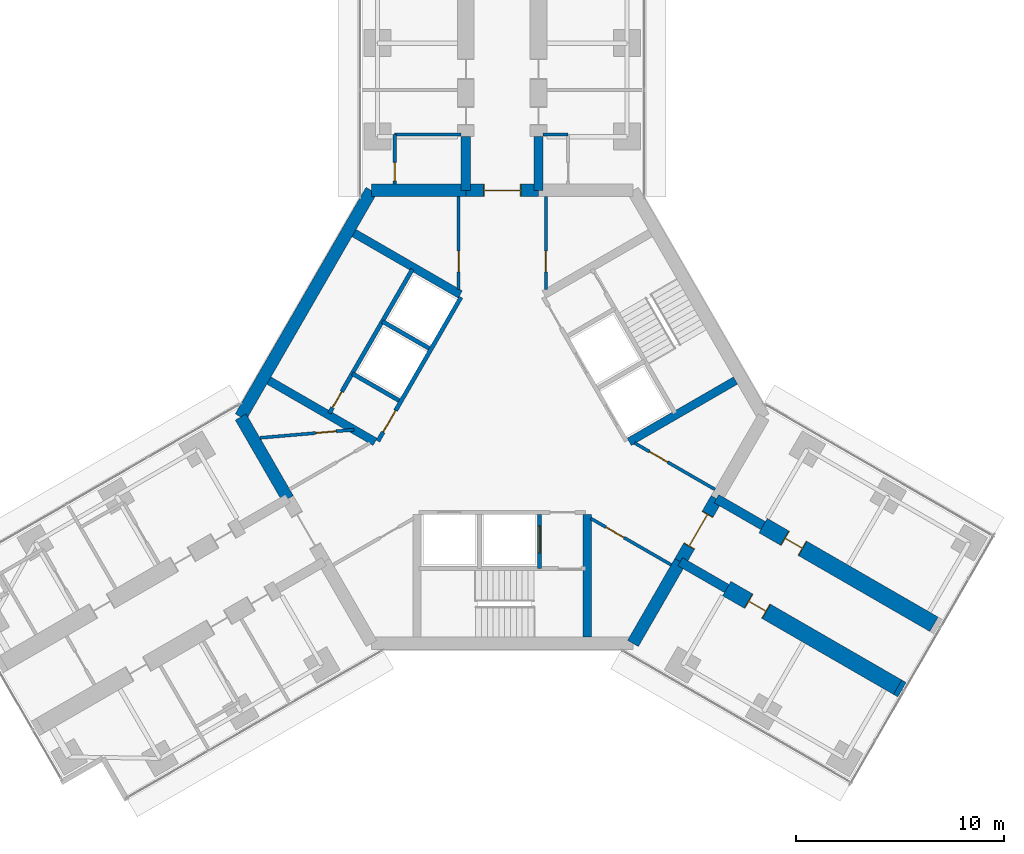
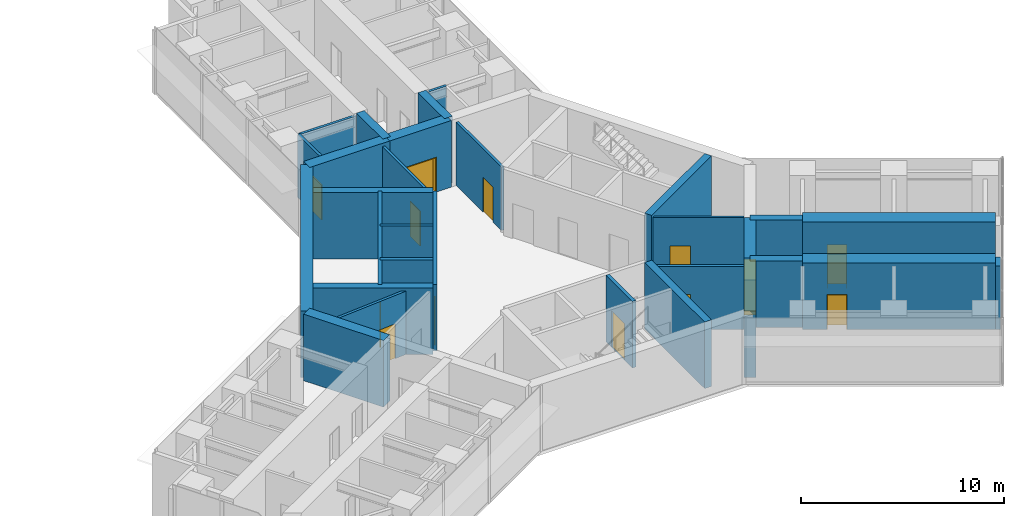
# One storey, part 19 of 22: 30 walls, 13 doors, 13 openings.
"""IFC4 building model written with IfcOpenShell, lengths in metres."""

from ifc_helpers import new_model, si_unit, direction, frame, frame_2d, origin, place, context, subcontext, project, spatial, rectangle, extrude, material, layer, layer_set, type_object, element, fill, save


model = new_model("IFC4")

# Units and contexts
model_context = context("Model", 3, precision=1e-05, world=origin(), true_north=direction((0.0, 1.0)))
body_context = subcontext(model_context, "Body", "Model", "MODEL_VIEW")
ifc_project = project(units=[si_unit("LENGTHUNIT", "METRE"), si_unit("AREAUNIT", "SQUARE_METRE"), si_unit("VOLUMEUNIT", "CUBIC_METRE"), si_unit("PLANEANGLEUNIT", "RADIAN"), si_unit("MASSUNIT", "GRAM", prefix="KILO")], contexts=[model_context])

# Site, building, storey
site_placement = place(None, origin())
site = spatial("IfcSite", under=ifc_project, at=site_placement, CompositionType="ELEMENT")
building_placement = place(site_placement, origin())
building = spatial("IfcBuilding", under=site, at=building_placement, Name="Upepo Twin Towers", CompositionType="ELEMENT")
storey_placement = place(building_placement, frame((0.0, 0.0, 137.5)))
storey = spatial("IfcBuildingStorey", under=building, at=storey_placement, Name="L33", CompositionType="ELEMENT", Elevation=137.5)

# Walls
ifc_material_1 = material(Name="Dense concrete blockwork", Category="masonry")
ifc_layer_1 = layer(ifc_material_1, 0.800048828125)
ifc_layer_set_1 = layer_set([ifc_layer_1], Name="Buttress closer 800, blockwork with fire-stopping to the curtain wall")
wall_type_1 = type_object("IfcWallType", Name="Buttress closer 800, blockwork with fire-stopping to the curtain wall", PredefinedType="PARTITIONING", material=ifc_layer_set_1)
wall_1_placement = place(storey_placement, frame((77.543701171875, -31.015625, 0.0), z_axis=(0.0, 0.0, 1.0), x_axis=(0.865827443207, -0.500342721131, 0.0)))
element("IfcWall", 1, at=wall_1_placement, inside=storey, type_object=wall_type_1, Name="T2 L33 wing C buttress closer R", PredefinedType="PARTITIONING", context=body_context, shape_type="SweptSolid", body=[
    extrude(rectangle(XDim=0.249755859375, YDim=0.800048828125, at=frame_2d((0.125, 0.0))), origin(), (0.0, 0.0, 1.0), 3.800048828125),
])
ifc_material_2 = material(Name="Concrete C60/75", Category="concrete")
ifc_layer_2 = layer(ifc_material_2, 0.449951171875)
ifc_layer_set_2 = layer_set([ifc_layer_2], Name="Concrete C60/75")
wall_type_2 = type_object("IfcWallType", Name="Buttress wall 450 RC", PredefinedType="SHEAR", material=ifc_layer_set_2)
for number, where, z_axis, x_axis, name in (
    (2, (56.75, -7.091552734375, 0.0), (0.0, 0.0, 1.0), (0.0, 1.0, 0.0), "T2 wing A buttress wall L"),
    (3, (60.25, -7.091552734375, 0.0), (0.0, 0.0, 1.0), (0.0, 1.0, 0.0), "T2 wing A buttress wall R"),
):
    element("IfcWall", number, at=place(storey_placement, frame(where, z_axis=z_axis, x_axis=x_axis)), inside=storey, type_object=wall_type_2, Name=name, PredefinedType="SHEAR", context=body_context, shape_type="SweptSolid", body=[
        extrude(rectangle(XDim=2.591552734375, YDim=0.449951171875, at=frame_2d((1.2958984375, 0.0))), origin(), (0.0, 0.0, 1.0), 4.0),
    ])
for number, where, z_axis, x_axis, name in (
    (4, (68.82177734375, -21.938720703125, 0.0), (0.0, 0.0, 1.0), (0.866072649678, -0.499918158782, 0.0), "T2 wing C buttress wall L"),
    (5, (67.07177734375, -24.9697265625, 0.0), (0.0, 0.0, 1.0), (0.866031863473, -0.499988811324, 0.0), "T2 wing C buttress wall R"),
):
    element("IfcWall", number, at=place(storey_placement, frame(where, z_axis=z_axis, x_axis=x_axis)), inside=storey, type_object=wall_type_2, Name=name, PredefinedType="SHEAR", context=body_context, shape_type="SweptSolid", body=[
        extrude(rectangle(XDim=2.591796875, YDim=0.449951171875, at=frame_2d((1.2958984375, 0.0))), origin(), (0.0, 0.0, 1.0), 4.0),
    ])

# Wall, opening, door
ifc_material_3 = material(Name="Concrete C60/75", Category="concrete")
ifc_layer_3 = layer(ifc_material_3, 0.800048828125)
ifc_layer_set_3 = layer_set([ifc_layer_3], Name="Concrete C60/75")
wall_type_3 = type_object("IfcWallType", Name="Buttress wall 800 RC", PredefinedType="SHEAR", material=ifc_layer_set_3)
wall_2_placement = place(storey_placement, frame((71.06640625, -23.234375, 0.0), z_axis=(0.0, 0.0, 1.0), x_axis=(0.86602681393, -0.499997557548, 0.0)))
wall_2 = element("IfcWall", 6, at=wall_2_placement, inside=storey, type_object=wall_type_3, Name="T2 wing C buttress wall L part 2", PredefinedType="SHEAR", context=body_context, shape_type="SweptSolid", body=[
    extrude(rectangle(XDim=9.5, YDim=0.800048828125, at=frame_2d((4.75, 0.0))), origin(), (0.0, 0.0, 1.0), 4.0),
])
opening_1_placement = place(wall_2_placement, frame((1.199951171875, 0.0, 0.0)))
opening_1 = element("IfcOpeningElement", 7, at=opening_1_placement, cuts=wall_2, Name="Opening D1", PredefinedType="OPENING", context=body_context, shape_type="SweptSolid", body=[
    extrude(rectangle(XDim=1.0, YDim=2.10009765625, at=frame_2d((0.5, 1.050048828125))), frame((0.0, 0.409912109375, 0.0), z_axis=(0.0, -1.0, 0.0), x_axis=(1.0, 0.0, 0.0)), (0.0, 0.0, 1.0), 0.820068359375),
])
ifc_material_4 = material(Name="Timber doorset", Category="wood")
door_type_1 = type_object("IfcDoorType", Name="Room door 1000 FD30", OperationType="SINGLE_SWING_LEFT", PredefinedType="DOOR", material=ifc_material_4)
door_1_placement = place(opening_1_placement, origin())
door_1 = element("IfcDoor", 8, at=door_1_placement, inside=storey, type_object=door_type_1, Name="T2 L33 staff office door", OperationType="SINGLE_SWING_LEFT", OverallHeight=2.10009765625, OverallWidth=1.0, PredefinedType="DOOR", context=body_context, shape_type="SweptSolid", body=[
    extrude(rectangle(XDim=0.92, YDim=2.06009765625, at=frame_2d((0.5, 1.030029296875))), frame((0.0, 0.02490234375, 0.0), z_axis=(0.0, -1.0, 0.0), x_axis=(1.0, 0.0, 0.0)), (0.0, 0.0, 1.0), 0.050048828125),
    extrude(rectangle(XDim=0.04, YDim=2.10009765625, at=frame_2d((0.02001953125, 1.050048828125))), frame((0.0, 0.39990234375, 0.0), z_axis=(0.0, -1.0, 0.0), x_axis=(1.0, 0.0, 0.0)), (0.0, 0.0, 1.0), 0.799560546875),
    extrude(rectangle(XDim=0.04, YDim=2.10009765625, at=frame_2d((0.97998046875, 1.050048828125))), frame((0.0, 0.39990234375, 0.0), z_axis=(0.0, -1.0, 0.0), x_axis=(1.0, 0.0, 0.0)), (0.0, 0.0, 1.0), 0.799560546875),
    extrude(rectangle(XDim=0.92, YDim=0.04, at=frame_2d((0.5, 2.080078125))), frame((0.0, 0.39990234375, 0.0), z_axis=(0.0, -1.0, 0.0), x_axis=(1.0, 0.0, 0.0)), (0.0, 0.0, 1.0), 0.799560546875),
])
fill(opening_1, door_1)

wall_3_placement = place(storey_placement, frame((69.31640625, -26.265625, 0.0), z_axis=(0.0, 0.0, 1.0), x_axis=(0.86602681393, -0.499997557548, 0.0)))
wall_3 = element("IfcWall", 9, at=wall_3_placement, inside=storey, type_object=wall_type_3, Name="T2 wing C buttress wall R part 2", PredefinedType="SHEAR", context=body_context, shape_type="SweptSolid", body=[
    extrude(rectangle(XDim=9.5, YDim=0.800048828125, at=frame_2d((4.75, 0.0))), origin(), (0.0, 0.0, 1.0), 4.0),
])
opening_2_placement = place(wall_3_placement, frame((1.199951171875, 0.0, 0.0)))
opening_2 = element("IfcOpeningElement", 10, at=opening_2_placement, cuts=wall_3, Name="Opening D1", PredefinedType="OPENING", context=body_context, shape_type="SweptSolid", body=[
    extrude(rectangle(XDim=1.0, YDim=2.10009765625, at=frame_2d((0.5, 1.050048828125))), frame((0.0, 0.409912109375, 0.0), z_axis=(0.0, -1.0, 0.0), x_axis=(1.0, 0.0, 0.0)), (0.0, 0.0, 1.0), 0.820068359375),
])
door_2_placement = place(opening_2_placement, origin())
door_2 = element("IfcDoor", 11, at=door_2_placement, inside=storey, type_object=door_type_1, Name="T2 L33 staff office door", OperationType="SINGLE_SWING_LEFT", OverallHeight=2.10009765625, OverallWidth=1.0, PredefinedType="DOOR", context=body_context, shape_type="SweptSolid", body=[
    extrude(rectangle(XDim=0.92, YDim=2.06009765625, at=frame_2d((0.5, 1.030029296875))), frame((0.0, 0.02490234375, 0.0), z_axis=(0.0, -1.0, 0.0), x_axis=(1.0, 0.0, 0.0)), (0.0, 0.0, 1.0), 0.050048828125),
    extrude(rectangle(XDim=0.04, YDim=2.10009765625, at=frame_2d((0.02001953125, 1.050048828125))), frame((0.0, 0.39990234375, 0.0), z_axis=(0.0, -1.0, 0.0), x_axis=(1.0, 0.0, 0.0)), (0.0, 0.0, 1.0), 0.799560546875),
    extrude(rectangle(XDim=0.04, YDim=2.10009765625, at=frame_2d((0.97998046875, 1.050048828125))), frame((0.0, 0.39990234375, 0.0), z_axis=(0.0, -1.0, 0.0), x_axis=(1.0, 0.0, 0.0)), (0.0, 0.0, 1.0), 0.799560546875),
    extrude(rectangle(XDim=0.92, YDim=0.04, at=frame_2d((0.5, 2.080078125))), frame((0.0, 0.39990234375, 0.0), z_axis=(0.0, -1.0, 0.0), x_axis=(1.0, 0.0, 0.0)), (0.0, 0.0, 1.0), 0.799560546875),
])
fill(opening_2, door_2)

ifc_material_5 = material(Name="Concrete C60/75", Category="concrete")
ifc_layer_4 = layer(ifc_material_5, 0.60009765625)
ifc_layer_set_4 = layer_set([ifc_layer_4], Name="Concrete C60/75")
wall_type_4 = type_object("IfcWallType", Name="Core wall 600 RC", PredefinedType="SHEAR", material=ifc_layer_set_4)
wall_4_placement = place(storey_placement, frame((60.25, -7.091552734375, 0.0), z_axis=(0.0, 0.0, 1.0), x_axis=(-1.0, 0.0, 0.0)))
wall_4 = element("IfcWall", 12, at=wall_4_placement, inside=storey, type_object=wall_type_4, Name="T2 core wall 000", PredefinedType="SHEAR", context=body_context, shape_type="SweptSolid", body=[
    extrude(rectangle(XDim=3.5, YDim=0.60009765625, at=frame_2d((1.75, 0.0))), origin(), (0.0, 0.0, 1.0), 4.0),
])
opening_3_placement = place(wall_4_placement, frame((0.85009765625, 0.0, 0.0)))
opening_3 = element("IfcOpeningElement", 13, at=opening_3_placement, cuts=wall_4, Name="Opening D2", PredefinedType="OPENING", context=body_context, shape_type="SweptSolid", body=[
    extrude(rectangle(XDim=1.800048828125, YDim=2.10009765625, at=frame_2d((0.89990234375, 1.050048828125))), frame((0.0, 0.31005859375, 0.0), z_axis=(0.0, -1.0, 0.0), x_axis=(1.0, 0.0, 0.0)), (0.0, 0.0, 1.0), 0.6201171875),
])
ifc_material_6 = material(Name="Timber doorset", Category="wood")
door_type_2 = type_object("IfcDoorType", Name="Corridor double door 1800 FD60", OperationType="DOUBLE_DOOR_DOUBLE_SWING", PredefinedType="DOOR", material=ifc_material_6)
door_3_placement = place(opening_3_placement, origin())
door_3 = element("IfcDoor", 14, at=door_3_placement, inside=storey, type_object=door_type_2, Name="T2 L33 wing A corridor door", OperationType="DOUBLE_DOOR_DOUBLE_SWING", OverallHeight=2.10009765625, OverallWidth=1.800048828125, PredefinedType="DOOR", context=body_context, shape_type="SweptSolid", body=[
    extrude(rectangle(XDim=1.720048828125, YDim=2.06009765625, at=frame_2d((0.89990234375, 1.030029296875))), frame((0.0, 0.02490234375, 0.0), z_axis=(0.0, -1.0, 0.0), x_axis=(1.0, 0.0, 0.0)), (0.0, 0.0, 1.0), 0.050048828125),
    extrude(rectangle(XDim=0.04, YDim=2.10009765625, at=frame_2d((0.02001953125, 1.050048828125))), frame((0.0, 0.2998046875, 0.0), z_axis=(0.0, -1.0, 0.0), x_axis=(1.0, 0.0, 0.0)), (0.0, 0.0, 1.0), 0.599609375),
    extrude(rectangle(XDim=0.04, YDim=2.10009765625, at=frame_2d((1.780029296875, 1.050048828125))), frame((0.0, 0.2998046875, 0.0), z_axis=(0.0, -1.0, 0.0), x_axis=(1.0, 0.0, 0.0)), (0.0, 0.0, 1.0), 0.599609375),
    extrude(rectangle(XDim=1.720048828125, YDim=0.04, at=frame_2d((0.89990234375, 2.080078125))), frame((0.0, 0.2998046875, 0.0), z_axis=(0.0, -1.0, 0.0), x_axis=(1.0, 0.0, 0.0)), (0.0, 0.0, 1.0), 0.599609375),
])
fill(opening_3, door_3)

# Walls
wall_5_placement = place(storey_placement, frame((56.75, -7.091552734375, 0.0), z_axis=(0.0, 0.0, 1.0), x_axis=(-1.0, 0.0, 0.0)))
element("IfcWall", 15, at=wall_5_placement, inside=storey, type_object=wall_type_4, Name="T2 core wall 000 L", PredefinedType="SHEAR", context=body_context, shape_type="SweptSolid", body=[
    extrude(rectangle(XDim=4.5478515625, YDim=0.60009765625, at=frame_2d((2.27392578125, 0.0))), origin(), (0.0, 0.0, 1.0), 4.0),
])
wall_6_placement = place(storey_placement, frame((52.2021484375, -7.091552734375, 0.0), z_axis=(0.0, 0.0, 1.0), x_axis=(-0.500005998175, -0.866021940709, 0.0)))
element("IfcWall", 16, at=wall_6_placement, inside=storey, type_object=wall_type_4, Name="T2 core wall 060", PredefinedType="SHEAR", context=body_context, shape_type="SweptSolid", body=[
    extrude(rectangle(XDim=12.595947265625, YDim=0.60009765625, at=frame_2d((6.2978515625, 0.0))), origin(), (0.0, 0.0, 1.0), 4.0),
])
for number, where, z_axis, x_axis, name in (
    (17, (45.904052734375, -18.0, 0.0), (0.0, 0.0, 1.0), (0.500024481964, -0.866011268655, 0.0), "T2 core wall 120 R"),
    (18, (64.7978515625, -28.908447265625, 0.0), (0.0, 0.0, 1.0), (0.499984222037, 0.866034513004, 0.0), "T2 core wall 240 R"),
):
    element("IfcWall", number, at=place(storey_placement, frame(where, z_axis=z_axis, x_axis=x_axis)), inside=storey, type_object=wall_type_4, Name=name, PredefinedType="SHEAR", context=body_context, shape_type="SweptSolid", body=[
        extrude(rectangle(XDim=4.548095703125, YDim=0.60009765625, at=frame_2d((2.27392578125, 0.0))), origin(), (0.0, 0.0, 1.0), 4.0),
    ])

# Wall, opening, door
wall_7_placement = place(storey_placement, frame((67.07177734375, -24.9697265625, 0.0), z_axis=(0.0, 0.0, 1.0), x_axis=(0.500010275428, 0.866019471182, 0.0)))
wall_7 = element("IfcWall", 19, at=wall_7_placement, inside=storey, type_object=wall_type_4, Name="T2 core wall 240", PredefinedType="SHEAR", context=body_context, shape_type="SweptSolid", body=[
    extrude(rectangle(XDim=3.5, YDim=0.60009765625, at=frame_2d((1.75, 0.0))), origin(), (0.0, 0.0, 1.0), 4.0),
])
opening_4_placement = place(wall_7_placement, frame((0.85009765625, 0.0, 0.0)))
opening_4 = element("IfcOpeningElement", 20, at=opening_4_placement, cuts=wall_7, Name="Opening D2", PredefinedType="OPENING", context=body_context, shape_type="SweptSolid", body=[
    extrude(rectangle(XDim=1.800048828125, YDim=2.10009765625, at=frame_2d((0.89990234375, 1.050048828125))), frame((0.0, 0.31005859375, 0.0), z_axis=(0.0, -1.0, 0.0), x_axis=(1.0, 0.0, 0.0)), (0.0, 0.0, 1.0), 0.6201171875),
])
door_4_placement = place(opening_4_placement, origin())
door_4 = element("IfcDoor", 21, at=door_4_placement, inside=storey, type_object=door_type_2, Name="T2 L33 wing C corridor door", OperationType="DOUBLE_DOOR_DOUBLE_SWING", OverallHeight=2.10009765625, OverallWidth=1.800048828125, PredefinedType="DOOR", context=body_context, shape_type="SweptSolid", body=[
    extrude(rectangle(XDim=1.720048828125, YDim=2.06009765625, at=frame_2d((0.89990234375, 1.030029296875))), frame((0.0, 0.02490234375, 0.0), z_axis=(0.0, -1.0, 0.0), x_axis=(1.0, 0.0, 0.0)), (0.0, 0.0, 1.0), 0.050048828125),
    extrude(rectangle(XDim=0.04, YDim=2.10009765625, at=frame_2d((0.02001953125, 1.050048828125))), frame((0.0, 0.2998046875, 0.0), z_axis=(0.0, -1.0, 0.0), x_axis=(1.0, 0.0, 0.0)), (0.0, 0.0, 1.0), 0.599609375),
    extrude(rectangle(XDim=0.04, YDim=2.10009765625, at=frame_2d((1.780029296875, 1.050048828125))), frame((0.0, 0.2998046875, 0.0), z_axis=(0.0, -1.0, 0.0), x_axis=(1.0, 0.0, 0.0)), (0.0, 0.0, 1.0), 0.599609375),
    extrude(rectangle(XDim=1.720048828125, YDim=0.04, at=frame_2d((0.89990234375, 2.080078125))), frame((0.0, 0.2998046875, 0.0), z_axis=(0.0, -1.0, 0.0), x_axis=(1.0, 0.0, 0.0)), (0.0, 0.0, 1.0), 0.599609375),
])
fill(opening_4, door_4)

ifc_material_7 = material(Name="Concrete C40/50", Category="concrete")
ifc_layer_5 = layer(ifc_material_7, 0.199951171875)
ifc_layer_set_5 = layer_set([ifc_layer_5], Name="Concrete C40/50")
wall_type_5 = type_object("IfcWallType", Name="Shaft wall 200 RC", PredefinedType="SHEAR", material=ifc_layer_set_5)
wall_8_placement = place(storey_placement, frame((56.516357421875, -12.23583984375, 0.0), z_axis=(0.0, 0.0, 1.0), x_axis=(-0.49999894854, -0.866026010844, 0.0)))
wall_8 = element("IfcWall", 22, at=wall_8_placement, inside=storey, type_object=wall_type_5, Name="T2 core W60 front wall", PredefinedType="SHEAR", context=body_context, shape_type="SweptSolid", body=[
    extrude(rectangle(XDim=8.0, YDim=0.199951171875, at=frame_2d((4.0, 0.0))), origin(), (0.0, 0.0, 1.0), 4.0),
])
opening_5_placement = place(wall_8_placement, frame((6.300048828125, 0.0, 0.0)))
opening_5 = element("IfcOpeningElement", 23, at=opening_5_placement, cuts=wall_8, Name="Opening D4", PredefinedType="OPENING", context=body_context, shape_type="SweptSolid", body=[
    extrude(rectangle(XDim=1.199951171875, YDim=2.10009765625, at=frame_2d((0.60009765625, 1.050048828125))), frame((0.0, 0.10986328125, 0.0), z_axis=(0.0, -1.0, 0.0), x_axis=(1.0, 0.0, 0.0)), (0.0, 0.0, 1.0), 0.219970703125),
])
ifc_material_8 = material(Name="Timber doorset", Category="wood")
door_type_3 = type_object("IfcDoorType", Name="Lobby door 1200 FD60", OperationType="SINGLE_SWING_LEFT", PredefinedType="DOOR", material=ifc_material_8)
door_5_placement = place(opening_5_placement, origin())
door_5 = element("IfcDoor", 24, at=door_5_placement, inside=storey, type_object=door_type_3, Name="T2 L33 W60 lobby door", OperationType="SINGLE_SWING_RIGHT", OverallHeight=2.10009765625, OverallWidth=1.199951171875, PredefinedType="DOOR", context=body_context, shape_type="SweptSolid", body=[
    extrude(rectangle(XDim=1.199951171875, YDim=2.10009765625, at=frame_2d((0.60009765625, 1.050048828125))), frame((0.0, 0.02490234375, 0.0), z_axis=(0.0, -1.0, 0.0), x_axis=(1.0, 0.0, 0.0)), (0.0, 0.0, 1.0), 0.050048828125),
])
fill(opening_5, door_5)

# Walls
for number, where, z_axis, x_axis, name in (
    (25, (54.979736328125, -14.697265625, 0.0), (0.0, 0.0, 1.0), (-0.866062058628, 0.499936506574, 0.0), "T2 core W60 shaft divider"),
    (26, (53.52978515625, -17.208740234375, 0.0), (0.0, 0.0, 1.0), (-0.866062058628, 0.499936506574, 0.0), "T2 core W60 lobby wall"),
):
    element("IfcWall", number, at=place(storey_placement, frame(where, z_axis=z_axis, x_axis=x_axis)), inside=storey, type_object=wall_type_5, Name=name, PredefinedType="SHEAR", context=body_context, shape_type="SweptSolid", body=[
        extrude(rectangle(XDim=2.599853515625, YDim=0.199951171875, at=frame_2d((1.2998046875, 0.0))), origin(), (0.0, 0.0, 1.0), 4.0),
    ])

# Wall, opening, door
wall_9_placement = place(storey_placement, frame((54.177978515625, -10.885986328125, 0.0), z_axis=(0.0, 0.0, 1.0), x_axis=(-0.49999894854, -0.866026010844, 0.0)))
wall_9 = element("IfcWall", 27, at=wall_9_placement, inside=storey, type_object=wall_type_5, Name="T2 core W60 stair wall", PredefinedType="SHEAR", context=body_context, shape_type="SweptSolid", body=[
    extrude(rectangle(XDim=8.0, YDim=0.199951171875, at=frame_2d((4.0, 0.0))), origin(), (0.0, 0.0, 1.0), 4.0),
])
opening_6_placement = place(wall_9_placement, frame((6.800048828125, 0.0, 0.0)))
opening_6 = element("IfcOpeningElement", 28, at=opening_6_placement, cuts=wall_9, Name="Opening D9", PredefinedType="OPENING", context=body_context, shape_type="SweptSolid", body=[
    extrude(rectangle(XDim=0.89990234375, YDim=2.10009765625, at=frame_2d((0.449951171875, 1.050048828125))), frame((0.0, 0.10986328125, 0.0), z_axis=(0.0, -1.0, 0.0), x_axis=(1.0, 0.0, 0.0)), (0.0, 0.0, 1.0), 0.219970703125),
])
ifc_material_9 = material(Name="Timber doorset", Category="wood")
door_type_4 = type_object("IfcDoorType", Name="Riser door 900 FD60", OperationType="SINGLE_SWING_LEFT", PredefinedType="DOOR", material=ifc_material_9)
door_6_placement = place(opening_6_placement, origin())
door_6 = element("IfcDoor", 29, at=door_6_placement, inside=storey, type_object=door_type_4, Name="T2 L33 riser door", OperationType="SINGLE_SWING_RIGHT", OverallHeight=2.10009765625, OverallWidth=0.89990234375, PredefinedType="DOOR", context=body_context, shape_type="SweptSolid", body=[
    extrude(rectangle(XDim=0.89990234375, YDim=2.10009765625, at=frame_2d((0.449951171875, 1.050048828125))), frame((0.0, 0.02490234375, 0.0), z_axis=(0.0, -1.0, 0.0), x_axis=(1.0, 0.0, 0.0)), (0.0, 0.0, 1.0), 0.050048828125),
])
fill(opening_6, door_6)

wall_10_placement = place(storey_placement, frame((60.300048828125, -22.699951171875, 0.0), z_axis=(0.0, 0.0, 1.0), x_axis=(0.0, -1.0, 0.0)))
wall_10 = element("IfcWall", 30, at=wall_10_placement, inside=storey, type_object=wall_type_5, Name="T2 core W180 lobby wall", PredefinedType="SHEAR", context=body_context, shape_type="SweptSolid", body=[
    extrude(rectangle(XDim=2.60009765625, YDim=0.199951171875, at=frame_2d((1.300048828125, 0.0))), origin(), (0.0, 0.0, 1.0), 4.0),
])
opening_7_placement = place(wall_10_placement, frame((0.550048828125, 0.0, 0.0)))
opening_7 = element("IfcOpeningElement", 31, at=opening_7_placement, cuts=wall_10, Name="Opening LD2", PredefinedType="OPENING", context=body_context, shape_type="SweptSolid", body=[
    extrude(rectangle(XDim=1.300048828125, YDim=2.199951171875, at=frame_2d((0.64990234375, 1.10009765625))), frame((0.0, 0.10986328125, 0.0), z_axis=(0.0, -1.0, 0.0), x_axis=(1.0, 0.0, 0.0)), (0.0, 0.0, 1.0), 0.219970703125),
])
ifc_material_10 = material(Name="Steel doorset", Category="steel")
door_type_5 = type_object("IfcDoorType", Name="Firefighting lift landing door 1300", OperationType="DOUBLE_DOOR_SLIDING", PredefinedType="DOOR", material=ifc_material_10)
door_7_placement = place(opening_7_placement, origin())
door_7 = element("IfcDoor", 32, at=door_7_placement, inside=storey, type_object=door_type_5, Name="T2 L33 firefighting lift landing door", OperationType="DOUBLE_DOOR_SLIDING", OverallHeight=2.199951171875, OverallWidth=1.300048828125, PredefinedType="DOOR", context=body_context, shape_type="SweptSolid", body=[
    extrude(rectangle(XDim=1.300048828125, YDim=2.199951171875, at=frame_2d((0.64990234375, 1.10009765625))), frame((0.0, 0.02490234375, 0.0), z_axis=(0.0, -1.0, 0.0), x_axis=(1.0, 0.0, 0.0)), (0.0, 0.0, 1.0), 0.050048828125),
])
fill(opening_7, door_7)

# Walls
ifc_material_11 = material(Name="Concrete C40/50", Category="concrete")
ifc_layer_6 = layer(ifc_material_11, 0.39990234375)
ifc_layer_set_6 = layer_set([ifc_layer_6], Name="Concrete C40/50")
wall_type_6 = type_object("IfcWallType", Name="Shaft wall 400 RC", PredefinedType="SHEAR", material=ifc_layer_set_6)
wall_11_placement = place(storey_placement, frame((52.379638671875, -19.20068359375, 0.0), z_axis=(0.0, 0.0, 1.0), x_axis=(-0.866027317282, 0.49999668571, 0.0)))
element("IfcWall", 33, at=wall_11_placement, inside=storey, type_object=wall_type_6, Name="T2 core W60 side wall N", PredefinedType="SHEAR", context=body_context, shape_type="SweptSolid", body=[
    extrude(rectangle(XDim=5.908203125, YDim=0.39990234375, at=frame_2d((2.9541015625, 0.0))), origin(), (0.0, 0.0, 1.0), 4.0),
])
for number, where, z_axis, x_axis, name in (
    (34, (56.479736328125, -12.099365234375, 0.0), (0.0, 0.0, 1.0), (-0.866009424208, 0.500027676417, 0.0), "T2 core W60 side wall S"),
    (35, (62.60009765625, -22.699951171875, 0.0), (0.0, 0.0, 1.0), (0.0, -1.0, 0.0), "T2 core W180 side wall N"),
):
    element("IfcWall", number, at=place(storey_placement, frame(where, z_axis=z_axis, x_axis=x_axis)), inside=storey, type_object=wall_type_6, Name=name, PredefinedType="SHEAR", context=body_context, shape_type="SweptSolid", body=[
        extrude(rectangle(XDim=5.908447265625, YDim=0.39990234375, at=frame_2d((2.9541015625, 0.0))), origin(), (0.0, 0.0, 1.0), 4.0),
    ])
wall_12_placement = place(storey_placement, frame((64.620361328125, -19.20068359375, 0.0), z_axis=(0.0, 0.0, 1.0), x_axis=(0.866027317282, 0.49999668571, 0.0)))
element("IfcWall", 36, at=wall_12_placement, inside=storey, type_object=wall_type_6, Name="T2 core W300 side wall S", PredefinedType="SHEAR", context=body_context, shape_type="SweptSolid", body=[
    extrude(rectangle(XDim=5.908203125, YDim=0.39990234375, at=frame_2d((2.9541015625, 0.0))), origin(), (0.0, 0.0, 1.0), 4.0),
])

# Wall, opening, door
ifc_material_12 = material(Name="Gypsum board on steel studs", Category="steel")
ifc_layer_7 = layer(ifc_material_12, 0.14990234375)
ifc_layer_set_7 = layer_set([ifc_layer_7], Name="Teaching partition 150 acoustic")
wall_type_7 = type_object("IfcWallType", Name="Teaching partition 150 acoustic", PredefinedType="PARTITIONING", material=ifc_layer_set_7)
wall_13_placement = place(storey_placement, frame((53.324951171875, -6.7919921875, 0.0), z_axis=(0.0, 0.0, 1.0), x_axis=(0.0, 1.0, 0.0)))
wall_13 = element("IfcWall", 37, at=wall_13_placement, inside=storey, type_object=wall_type_7, Name="T2 WC bay partition AL at 11.21", PredefinedType="PARTITIONING", context=body_context, shape_type="SweptSolid", body=[
    extrude(rectangle(XDim=2.39990234375, YDim=0.14990234375, at=frame_2d((1.199951171875, 0.0))), origin(), (0.0, 0.0, 1.0), 3.800048828125),
])
opening_8_placement = place(wall_13_placement, frame((0.14990234375, 0.0, 0.0)))
opening_8 = element("IfcOpeningElement", 38, at=opening_8_placement, cuts=wall_13, Name="Opening D14", PredefinedType="OPENING", context=body_context, shape_type="SweptSolid", body=[
    extrude(rectangle(XDim=0.89990234375, YDim=2.10009765625, at=frame_2d((0.449951171875, 1.050048828125))), frame((0.0, 0.0849609375, 0.0), z_axis=(0.0, -1.0, 0.0), x_axis=(1.0, 0.0, 0.0)), (0.0, 0.0, 1.0), 0.169921875),
])
ifc_material_13 = material(Name="Timber doorset", Category="wood")
door_type_6 = type_object("IfcDoorType", Name="Office door 900 FD30", OperationType="SINGLE_SWING_LEFT", PredefinedType="DOOR", material=ifc_material_13)
door_8_placement = place(opening_8_placement, origin())
door_8 = element("IfcDoor", 39, at=door_8_placement, inside=storey, type_object=door_type_6, Name="T2 L33 WC bay inner room door", OperationType="SINGLE_SWING_LEFT", OverallHeight=2.10009765625, OverallWidth=0.89990234375, PredefinedType="DOOR", context=body_context, shape_type="SweptSolid", body=[
    extrude(rectangle(XDim=0.89990234375, YDim=2.10009765625, at=frame_2d((0.449951171875, 1.050048828125))), frame((0.0, 0.02490234375, 0.0), z_axis=(0.0, -1.0, 0.0), x_axis=(1.0, 0.0, 0.0)), (0.0, 0.0, 1.0), 0.050048828125),
])
fill(opening_8, door_8)

# Walls
wall_14_placement = place(storey_placement, frame((56.52490234375, -4.39208984375, 0.0), z_axis=(0.0, 0.0, 1.0), x_axis=(-1.0, 0.0, 0.0)))
element("IfcWall", 40, at=wall_14_placement, inside=storey, type_object=wall_type_7, Name="T2 WC bay partition AL end at 13.61", PredefinedType="PARTITIONING", context=body_context, shape_type="SweptSolid", body=[
    extrude(rectangle(XDim=3.199951171875, YDim=0.14990234375, at=frame_2d((1.60009765625, 0.0))), origin(), (0.0, 0.0, 1.0), 3.800048828125),
])
wall_15_placement = place(storey_placement, frame((60.47509765625, -4.39208984375, 0.0), z_axis=(0.0, 0.0, 1.0), x_axis=(1.0, 0.0, 0.0)))
element("IfcWall", 41, at=wall_15_placement, inside=storey, type_object=wall_type_7, Name="T2 WC bay partition AR end at 13.61", PredefinedType="PARTITIONING", context=body_context, shape_type="SweptSolid", body=[
    extrude(rectangle(XDim=1.199951171875, YDim=0.14990234375, at=frame_2d((0.60009765625, 0.0))), origin(), (0.0, 0.0, 1.0), 3.800048828125),
])

# Wall, opening, door
wall_16_placement = place(storey_placement, frame((56.39990234375, -11.857421875, 0.0), z_axis=(0.0, 0.0, 1.0), x_axis=(0.0, 1.0, 0.0)))
wall_16 = element("IfcWall", 42, at=wall_16_placement, inside=storey, type_object=wall_type_7, Name="T2 core room partition 2", PredefinedType="PARTITIONING", context=body_context, shape_type="SweptSolid", body=[
    extrude(rectangle(XDim=4.475830078125, YDim=0.14990234375, at=frame_2d((2.23779296875, 0.0))), origin(), (0.0, 0.0, 1.0), 3.800048828125),
])
opening_9_placement = place(wall_16_placement, frame((0.8427734375, 0.0, 0.0)))
opening_9 = element("IfcOpeningElement", 43, at=opening_9_placement, cuts=wall_16, Name="Opening D1", PredefinedType="OPENING", context=body_context, shape_type="SweptSolid", body=[
    extrude(rectangle(XDim=1.0, YDim=2.10009765625, at=frame_2d((0.5, 1.050048828125))), frame((0.0, 0.0849609375, 0.0), z_axis=(0.0, -1.0, 0.0), x_axis=(1.0, 0.0, 0.0)), (0.0, 0.0, 1.0), 0.169921875),
])
door_9_placement = place(opening_9_placement, origin())
door_9 = element("IfcDoor", 44, at=door_9_placement, inside=storey, type_object=door_type_1, Name="T2 L33 core room door K7", OperationType="SINGLE_SWING_LEFT", OverallHeight=2.10009765625, OverallWidth=1.0, PredefinedType="DOOR", context=body_context, shape_type="SweptSolid", body=[
    extrude(rectangle(XDim=1.0, YDim=2.10009765625, at=frame_2d((0.5, 1.050048828125))), frame((0.0, 0.02490234375, 0.0), z_axis=(0.0, -1.0, 0.0), x_axis=(1.0, 0.0, 0.0)), (0.0, 0.0, 1.0), 0.050048828125),
])
fill(opening_9, door_9)

wall_17_placement = place(storey_placement, frame((60.60009765625, -7.381591796875, 0.0), z_axis=(0.0, 0.0, 1.0), x_axis=(0.0, -1.0, 0.0)))
wall_17 = element("IfcWall", 45, at=wall_17_placement, inside=storey, type_object=wall_type_7, Name="T2 core room partition 3", PredefinedType="PARTITIONING", context=body_context, shape_type="SweptSolid", body=[
    extrude(rectangle(XDim=4.475830078125, YDim=0.14990234375, at=frame_2d((2.23779296875, 0.0))), origin(), (0.0, 0.0, 1.0), 3.800048828125),
])
opening_10_placement = place(wall_17_placement, frame((2.6328125, 0.0, 0.0)))
opening_10 = element("IfcOpeningElement", 46, at=opening_10_placement, cuts=wall_17, Name="Opening D1", PredefinedType="OPENING", context=body_context, shape_type="SweptSolid", body=[
    extrude(rectangle(XDim=1.0, YDim=2.10009765625, at=frame_2d((0.5, 1.050048828125))), frame((0.0, 0.0849609375, 0.0), z_axis=(0.0, -1.0, 0.0), x_axis=(1.0, 0.0, 0.0)), (0.0, 0.0, 1.0), 0.169921875),
])
door_10_placement = place(opening_10_placement, origin())
door_10 = element("IfcDoor", 47, at=door_10_placement, inside=storey, type_object=door_type_1, Name="T2 L33 core room door K6", OperationType="SINGLE_SWING_RIGHT", OverallHeight=2.10009765625, OverallWidth=1.0, PredefinedType="DOOR", context=body_context, shape_type="SweptSolid", body=[
    extrude(rectangle(XDim=1.0, YDim=2.10009765625, at=frame_2d((0.5, 1.050048828125))), frame((0.0, 0.02490234375, 0.0), z_axis=(0.0, -1.0, 0.0), x_axis=(1.0, 0.0, 0.0)), (0.0, 0.0, 1.0), 0.050048828125),
])
fill(opening_10, door_10)

wall_18_placement = place(storey_placement, frame((64.86962890625, -19.252685546875, 0.0), z_axis=(0.0, 0.0, 1.0), x_axis=(0.866025707867, -0.499999473313, 0.0)))
wall_18 = element("IfcWall", 48, at=wall_18_placement, inside=storey, type_object=wall_type_7, Name="T2 core room partition 4", PredefinedType="PARTITIONING", context=body_context, shape_type="SweptSolid", body=[
    extrude(rectangle(XDim=4.4755859375, YDim=0.14990234375, at=frame_2d((2.23779296875, 0.0))), origin(), (0.0, 0.0, 1.0), 3.800048828125),
])
opening_11_placement = place(wall_18_placement, frame((0.8427734375, 0.0, 0.0)))
opening_11 = element("IfcOpeningElement", 49, at=opening_11_placement, cuts=wall_18, Name="Opening D1", PredefinedType="OPENING", context=body_context, shape_type="SweptSolid", body=[
    extrude(rectangle(XDim=1.0, YDim=2.10009765625, at=frame_2d((0.5, 1.050048828125))), frame((0.0, 0.0849609375, 0.0), z_axis=(0.0, -1.0, 0.0), x_axis=(1.0, 0.0, 0.0)), (0.0, 0.0, 1.0), 0.169921875),
])
door_11_placement = place(opening_11_placement, origin())
door_11 = element("IfcDoor", 50, at=door_11_placement, inside=storey, type_object=door_type_1, Name="T2 L33 core room door K5", OperationType="SINGLE_SWING_LEFT", OverallHeight=2.10009765625, OverallWidth=1.0, PredefinedType="DOOR", context=body_context, shape_type="SweptSolid", body=[
    extrude(rectangle(XDim=1.0, YDim=2.10009765625, at=frame_2d((0.5, 1.050048828125))), frame((0.0, 0.02490234375, 0.0), z_axis=(0.0, -1.0, 0.0), x_axis=(1.0, 0.0, 0.0)), (0.0, 0.0, 1.0), 0.050048828125),
])
fill(opening_11, door_11)

wall_19_placement = place(storey_placement, frame((66.645751953125, -25.127685546875, 0.0), z_axis=(0.0, 0.0, 1.0), x_axis=(-0.866025707867, 0.499999473313, 0.0)))
wall_19 = element("IfcWall", 51, at=wall_19_placement, inside=storey, type_object=wall_type_7, Name="T2 core room partition 5", PredefinedType="PARTITIONING", context=body_context, shape_type="SweptSolid", body=[
    extrude(rectangle(XDim=4.4755859375, YDim=0.14990234375, at=frame_2d((2.23779296875, 0.0))), origin(), (0.0, 0.0, 1.0), 3.800048828125),
])
opening_12_placement = place(wall_19_placement, frame((2.633056640625, 0.0, 0.0)))
opening_12 = element("IfcOpeningElement", 52, at=opening_12_placement, cuts=wall_19, Name="Opening D1", PredefinedType="OPENING", context=body_context, shape_type="SweptSolid", body=[
    extrude(rectangle(XDim=1.0, YDim=2.10009765625, at=frame_2d((0.5, 1.050048828125))), frame((0.0, 0.0849609375, 0.0), z_axis=(0.0, -1.0, 0.0), x_axis=(1.0, 0.0, 0.0)), (0.0, 0.0, 1.0), 0.169921875),
])
door_12_placement = place(opening_12_placement, origin())
door_12 = element("IfcDoor", 53, at=door_12_placement, inside=storey, type_object=door_type_1, Name="T2 L33 core room door K4", OperationType="SINGLE_SWING_RIGHT", OverallHeight=2.10009765625, OverallWidth=1.0, PredefinedType="DOOR", context=body_context, shape_type="SweptSolid", body=[
    extrude(rectangle(XDim=1.0, YDim=2.10009765625, at=frame_2d((0.5, 1.050048828125))), frame((0.0, 0.02490234375, 0.0), z_axis=(0.0, -1.0, 0.0), x_axis=(1.0, 0.0, 0.0)), (0.0, 0.0, 1.0), 0.050048828125),
])
fill(opening_12, door_12)

wall_20_placement = place(storey_placement, frame((51.366943359375, -18.6162109375, 0.0), z_axis=(0.0, 0.0, 1.0), x_axis=(-0.996291540593, -0.086041653535, 0.0)))
wall_20 = element("IfcWall", 54, at=wall_20_placement, inside=storey, type_object=wall_type_7, Name="T2 core room partition 7", PredefinedType="PARTITIONING", context=body_context, shape_type="SweptSolid", body=[
    extrude(rectangle(XDim=4.55126953125, YDim=0.14990234375, at=frame_2d((2.275634765625, 0.0))), origin(), (0.0, 0.0, 1.0), 3.800048828125),
])
opening_13_placement = place(wall_20_placement, frame((0.865478515625, 0.0, 0.0)))
opening_13 = element("IfcOpeningElement", 55, at=opening_13_placement, cuts=wall_20, Name="Opening D1", PredefinedType="OPENING", context=body_context, shape_type="SweptSolid", body=[
    extrude(rectangle(XDim=1.0, YDim=2.10009765625, at=frame_2d((0.5, 1.050048828125))), frame((0.0, 0.0849609375, 0.0), z_axis=(0.0, -1.0, 0.0), x_axis=(1.0, 0.0, 0.0)), (0.0, 0.0, 1.0), 0.169921875),
])
door_13_placement = place(opening_13_placement, origin())
door_13 = element("IfcDoor", 56, at=door_13_placement, inside=storey, type_object=door_type_1, Name="T2 L33 core room door K1", OperationType="SINGLE_SWING_LEFT", OverallHeight=2.10009765625, OverallWidth=1.0, PredefinedType="DOOR", context=body_context, shape_type="SweptSolid", body=[
    extrude(rectangle(XDim=1.0, YDim=2.10009765625, at=frame_2d((0.5, 1.050048828125))), frame((0.0, 0.02490234375, 0.0), z_axis=(0.0, -1.0, 0.0), x_axis=(1.0, 0.0, 0.0)), (0.0, 0.0, 1.0), 0.050048828125),
])
fill(opening_13, door_13)

save(model, "model.ifc")
